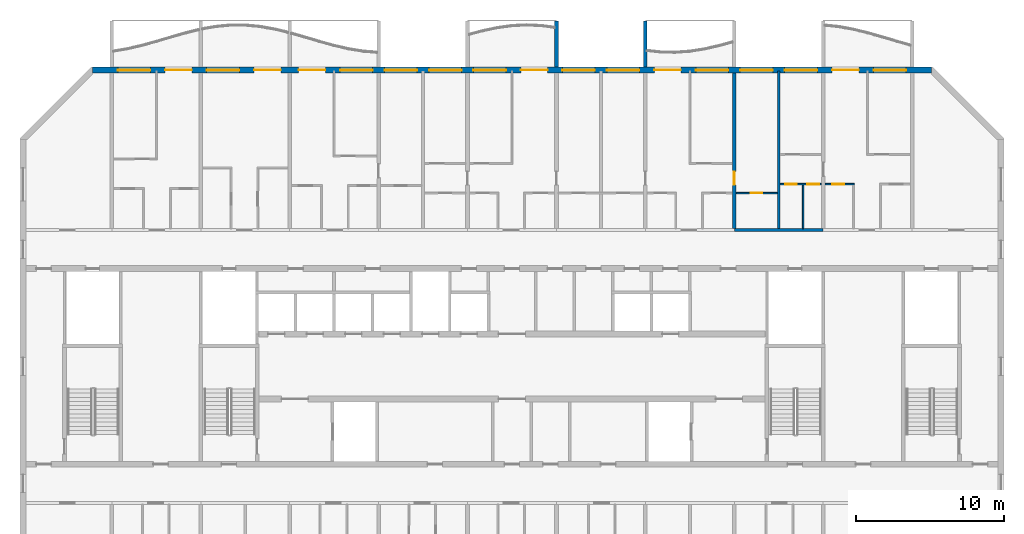
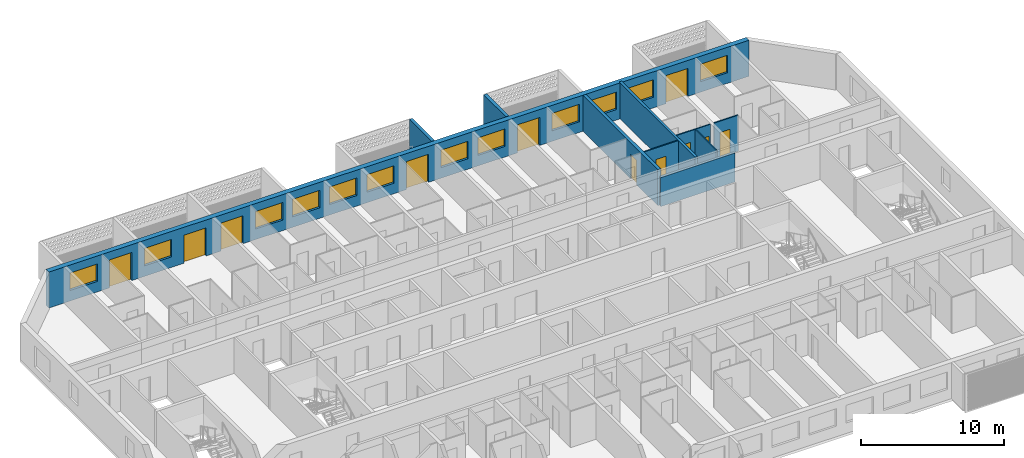
# One storey, part 10 of 27: 12 windows, 11 doors, 10 walls, 23 openings.
"""IFC4 building model written with IfcOpenShell, lengths in metres."""

from ifc_helpers import new_model, si_unit, direction, frame, frame_2d, origin, place, context, subcontext, project, spatial, polyline, rectangle, outline, extrude, source, transform, mapped, material, layer, layer_set, type_object, element, fill, save


model = new_model("IFC4")

# Units and contexts
model_context = context("Model", 3, precision=1e-05, world=origin(), true_north=direction((0.0, 1.0)))
body_context = subcontext(model_context, "Body", "Model", "MODEL_VIEW")
ifc_project = project(units=[si_unit("LENGTHUNIT", "METRE"), si_unit("AREAUNIT", "SQUARE_METRE"), si_unit("VOLUMEUNIT", "CUBIC_METRE"), si_unit("PLANEANGLEUNIT", "RADIAN"), si_unit("MASSUNIT", "GRAM", prefix="KILO")], contexts=[model_context])

# Site, building, storey
site_placement = place(None, origin())
site = spatial("IfcSite", under=ifc_project, at=site_placement, CompositionType="ELEMENT")
building_placement = place(site_placement, origin())
building = spatial("IfcBuilding", under=site, at=building_placement, Name="Poui Terraces", CompositionType="ELEMENT")
storey_placement = place(building_placement, frame((0.0, 0.0, 201.60009765625)))
storey = spatial("IfcBuildingStorey", under=building, at=storey_placement, Name="L56", CompositionType="ELEMENT", Elevation=201.60009765625)

# Wall
ifc_material_1 = material(Name="Concrete 50 MPa", Category="concrete")
ifc_layer_1 = layer(ifc_material_1, 0.199951171875)
ifc_layer_set_1 = layer_set([ifc_layer_1], Name="Concrete 50 MPa")
wall_type_1 = type_object("IfcWallType", Name="CORRIDOR WALL 200 50MPa", PredefinedType="SHEAR", material=ifc_layer_set_1)
wall_1_placement = place(storey_placement, frame((66.0, 30.39990234375, 0.0), z_axis=(0.0, 0.0, 1.0), x_axis=(1.0, 0.0, 0.0)))
element("IfcWall", 1, at=wall_1_placement, inside=storey, type_object=wall_type_1, Name="CORRIDOR WALL LINE E BAY 9", PredefinedType="SHEAR", context=body_context, shape_type="SweptSolid", body=[
    extrude(rectangle(XDim=6.0, YDim=0.199951171875, at=frame_2d((3.0, 0.0))), origin(), (0.0, 0.0, 1.0), 2.47998046875),
])

# Wall, opening, door
ifc_layer_2 = layer(ifc_material_1, 0.25)
ifc_layer_set_2 = layer_set([ifc_layer_2], Name="Concrete 50 MPa")
wall_type_2 = type_object("IfcWallType", Name="CROSS WALL 250 50MPa", PredefinedType="SHEAR", material=ifc_layer_set_2)
wall_2_placement = place(storey_placement, frame((66.0, 30.5, 0.0), z_axis=(0.0, 0.0, 1.0), x_axis=(0.0, 1.0, 0.0)))
wall_2 = element("IfcWall", 2, at=wall_2_placement, inside=storey, type_object=wall_type_2, Name="CROSS WALL LINE 12 NORTH", PredefinedType="SHEAR", context=body_context, shape_type="SweptSolid", body=[
    extrude(rectangle(XDim=10.5, YDim=0.25, at=frame_2d((5.25, 0.0))), origin(), (0.0, 0.0, 1.0), 3.079833984375),
])
opening_1_placement = place(wall_2_placement, frame((2.949951171875, 0.0, 0.0)))
opening_1 = element("IfcOpeningElement", 3, at=opening_1_placement, cuts=wall_2, Name="Opening D90", PredefinedType="OPENING", context=body_context, shape_type="SweptSolid", body=[
    extrude(rectangle(XDim=0.89990234375, YDim=2.10009765625, at=frame_2d((0.449951171875, 1.050048828125))), frame((0.0, 0.135009765625, 0.0), z_axis=(0.0, -1.0, 0.0), x_axis=(1.0, 0.0, 0.0)), (0.0, 0.0, 1.0), 0.27001953125),
])
ifc_material_2 = material(Name="Solid core timber door", Category="wood")
door_type_1 = type_object("IfcDoorType", Name="INTERNAL DOOR 900 X 2100", OperationType="NOTDEFINED", PredefinedType="DOOR", material=ifc_material_2)
door_1_placement = place(opening_1_placement, frame((0.89990234375, 0.0, 0.0), z_axis=(0.0, 0.0, 1.0), x_axis=(-1.0, 0.0, 0.0)))
door_1 = element("IfcDoor", 4, at=door_1_placement, inside=storey, type_object=door_type_1, Name="INTERNAL DOOR 056", OperationType="SINGLE_SWING_RIGHT", OverallHeight=2.10009765625, OverallWidth=0.89990234375, PredefinedType="DOOR", context=body_context, shape_type="SweptSolid", body=[
    extrude(rectangle(XDim=0.89990234375, YDim=2.10009765625, at=frame_2d((0.449951171875, 1.050048828125))), frame((0.0, 0.02490234375, 0.0), z_axis=(0.0, -1.0, 0.0), x_axis=(1.0, 0.0, 0.0)), (0.0, 0.0, 1.0), 0.050048828125),
])
fill(opening_1, door_1)

# Wall, openings, doors, windows
ifc_material_3 = material(Name="Precast concrete 40 MPa", Category="concrete")
ifc_layer_3 = layer(ifc_material_3, 0.39990234375)
ifc_layer_set_3 = layer_set([ifc_layer_3], Name="Precast concrete 40 MPa")
wall_type_3 = type_object("IfcWallType", Name="EXTERNAL WALL 400", PredefinedType="STANDARD", material=ifc_layer_set_3)
wall_3_placement = place(storey_placement, frame((79.317138671875, 41.199951171875, 0.0), z_axis=(0.0, 0.0, 1.0), x_axis=(-1.0, 0.0, 0.0)))
wall_3 = element("IfcWall", 5, at=wall_3_placement, inside=storey, type_object=wall_type_3, Name="EXTERNAL WALL N", PredefinedType="STANDARD", context=body_context, shape_type="SweptSolid", body=[
    extrude(rectangle(XDim=56.63427734375, YDim=0.39990234375, at=frame_2d((28.317138671875, 0.0))), origin(), (0.0, 0.0, 1.0), 3.079833984375),
])
opening_2_placement = place(wall_3_placement, frame((52.71728515625, 0.0, 0.89990234375)))
opening_2 = element("IfcOpeningElement", 6, at=opening_2_placement, cuts=wall_3, Name="Opening W1", PredefinedType="OPENING", context=body_context, shape_type="SweptSolid", body=[
    extrude(rectangle(XDim=2.199951171875, YDim=1.5, at=frame_2d((1.10009765625, 0.75))), frame((0.0, 0.2099609375, 0.0), z_axis=(0.0, -1.0, 0.0), x_axis=(1.0, 0.0, 0.0)), (0.0, 0.0, 1.0), 0.419921875),
])
opening_3_placement = place(wall_3_placement, frame((49.917236328125, 0.0, 0.0)))
opening_3 = element("IfcOpeningElement", 7, at=opening_3_placement, cuts=wall_3, Name="Opening BD1", PredefinedType="OPENING", context=body_context, shape_type="SweptSolid", body=[
    extrude(rectangle(XDim=1.800048828125, YDim=2.39990234375, at=frame_2d((0.89990234375, 1.199951171875))), frame((0.0, 0.2099609375, 0.0), z_axis=(0.0, -1.0, 0.0), x_axis=(1.0, 0.0, 0.0)), (0.0, 0.0, 1.0), 0.419921875),
])
opening_4_placement = place(wall_3_placement, frame((46.71728515625, 0.0, 0.89990234375)))
opening_4 = element("IfcOpeningElement", 8, at=opening_4_placement, cuts=wall_3, Name="Opening W1", PredefinedType="OPENING", context=body_context, shape_type="SweptSolid", body=[
    extrude(rectangle(XDim=2.199951171875, YDim=1.5, at=frame_2d((1.10009765625, 0.75))), frame((0.0, 0.2099609375, 0.0), z_axis=(0.0, -1.0, 0.0), x_axis=(1.0, 0.0, 0.0)), (0.0, 0.0, 1.0), 0.419921875),
])
opening_5_placement = place(wall_3_placement, frame((43.917236328125, 0.0, 0.0)))
opening_5 = element("IfcOpeningElement", 9, at=opening_5_placement, cuts=wall_3, Name="Opening BD1", PredefinedType="OPENING", context=body_context, shape_type="SweptSolid", body=[
    extrude(rectangle(XDim=1.800048828125, YDim=2.39990234375, at=frame_2d((0.89990234375, 1.199951171875))), frame((0.0, 0.2099609375, 0.0), z_axis=(0.0, -1.0, 0.0), x_axis=(1.0, 0.0, 0.0)), (0.0, 0.0, 1.0), 0.419921875),
])
opening_6_placement = place(wall_3_placement, frame((40.917236328125, 0.0, 0.0)))
opening_6 = element("IfcOpeningElement", 10, at=opening_6_placement, cuts=wall_3, Name="Opening BD1", PredefinedType="OPENING", context=body_context, shape_type="SweptSolid", body=[
    extrude(rectangle(XDim=1.800048828125, YDim=2.39990234375, at=frame_2d((0.89990234375, 1.199951171875))), frame((0.0, 0.2099609375, 0.0), z_axis=(0.0, -1.0, 0.0), x_axis=(1.0, 0.0, 0.0)), (0.0, 0.0, 1.0), 0.419921875),
])
opening_7_placement = place(wall_3_placement, frame((37.71728515625, 0.0, 0.89990234375)))
opening_7 = element("IfcOpeningElement", 11, at=opening_7_placement, cuts=wall_3, Name="Opening W1", PredefinedType="OPENING", context=body_context, shape_type="SweptSolid", body=[
    extrude(rectangle(XDim=2.199951171875, YDim=1.5, at=frame_2d((1.10009765625, 0.75))), frame((0.0, 0.2099609375, 0.0), z_axis=(0.0, -1.0, 0.0), x_axis=(1.0, 0.0, 0.0)), (0.0, 0.0, 1.0), 0.419921875),
])
opening_8_placement = place(wall_3_placement, frame((34.71728515625, 0.0, 0.89990234375)))
opening_8 = element("IfcOpeningElement", 12, at=opening_8_placement, cuts=wall_3, Name="Opening W1", PredefinedType="OPENING", context=body_context, shape_type="SweptSolid", body=[
    extrude(rectangle(XDim=2.199951171875, YDim=1.5, at=frame_2d((1.10009765625, 0.75))), frame((0.0, 0.2099609375, 0.0), z_axis=(0.0, -1.0, 0.0), x_axis=(1.0, 0.0, 0.0)), (0.0, 0.0, 1.0), 0.419921875),
])
opening_9_placement = place(wall_3_placement, frame((31.71728515625, 0.0, 0.89990234375)))
opening_9 = element("IfcOpeningElement", 13, at=opening_9_placement, cuts=wall_3, Name="Opening W1", PredefinedType="OPENING", context=body_context, shape_type="SweptSolid", body=[
    extrude(rectangle(XDim=2.199951171875, YDim=1.5, at=frame_2d((1.10009765625, 0.75))), frame((0.0, 0.2099609375, 0.0), z_axis=(0.0, -1.0, 0.0), x_axis=(1.0, 0.0, 0.0)), (0.0, 0.0, 1.0), 0.419921875),
])
opening_10_placement = place(wall_3_placement, frame((28.71728515625, 0.0, 0.89990234375)))
opening_10 = element("IfcOpeningElement", 14, at=opening_10_placement, cuts=wall_3, Name="Opening W1", PredefinedType="OPENING", context=body_context, shape_type="SweptSolid", body=[
    extrude(rectangle(XDim=2.199951171875, YDim=1.5, at=frame_2d((1.10009765625, 0.75))), frame((0.0, 0.2099609375, 0.0), z_axis=(0.0, -1.0, 0.0), x_axis=(1.0, 0.0, 0.0)), (0.0, 0.0, 1.0), 0.419921875),
])
opening_11_placement = place(wall_3_placement, frame((25.917236328125, 0.0, 0.0)))
opening_11 = element("IfcOpeningElement", 15, at=opening_11_placement, cuts=wall_3, Name="Opening BD1", PredefinedType="OPENING", context=body_context, shape_type="SweptSolid", body=[
    extrude(rectangle(XDim=1.800048828125, YDim=2.39990234375, at=frame_2d((0.89990234375, 1.199951171875))), frame((0.0, 0.2099609375, 0.0), z_axis=(0.0, -1.0, 0.0), x_axis=(1.0, 0.0, 0.0)), (0.0, 0.0, 1.0), 0.419921875),
])
opening_12_placement = place(wall_3_placement, frame((22.71728515625, 0.0, 0.89990234375)))
opening_12 = element("IfcOpeningElement", 16, at=opening_12_placement, cuts=wall_3, Name="Opening W1", PredefinedType="OPENING", context=body_context, shape_type="SweptSolid", body=[
    extrude(rectangle(XDim=2.199951171875, YDim=1.5, at=frame_2d((1.10009765625, 0.75))), frame((0.0, 0.2099609375, 0.0), z_axis=(0.0, -1.0, 0.0), x_axis=(1.0, 0.0, 0.0)), (0.0, 0.0, 1.0), 0.419921875),
])
opening_13_placement = place(wall_3_placement, frame((19.71728515625, 0.0, 0.89990234375)))
opening_13 = element("IfcOpeningElement", 17, at=opening_13_placement, cuts=wall_3, Name="Opening W1", PredefinedType="OPENING", context=body_context, shape_type="SweptSolid", body=[
    extrude(rectangle(XDim=2.199951171875, YDim=1.5, at=frame_2d((1.10009765625, 0.75))), frame((0.0, 0.2099609375, 0.0), z_axis=(0.0, -1.0, 0.0), x_axis=(1.0, 0.0, 0.0)), (0.0, 0.0, 1.0), 0.419921875),
])
opening_14_placement = place(wall_3_placement, frame((16.917236328125, 0.0, 0.0)))
opening_14 = element("IfcOpeningElement", 18, at=opening_14_placement, cuts=wall_3, Name="Opening BD1", PredefinedType="OPENING", context=body_context, shape_type="SweptSolid", body=[
    extrude(rectangle(XDim=1.800048828125, YDim=2.39990234375, at=frame_2d((0.89990234375, 1.199951171875))), frame((0.0, 0.2099609375, 0.0), z_axis=(0.0, -1.0, 0.0), x_axis=(1.0, 0.0, 0.0)), (0.0, 0.0, 1.0), 0.419921875),
])
opening_15_placement = place(wall_3_placement, frame((13.71728515625, 0.0, 0.89990234375)))
opening_15 = element("IfcOpeningElement", 19, at=opening_15_placement, cuts=wall_3, Name="Opening W1", PredefinedType="OPENING", context=body_context, shape_type="SweptSolid", body=[
    extrude(rectangle(XDim=2.199951171875, YDim=1.5, at=frame_2d((1.10009765625, 0.75))), frame((0.0, 0.2099609375, 0.0), z_axis=(0.0, -1.0, 0.0), x_axis=(1.0, 0.0, 0.0)), (0.0, 0.0, 1.0), 0.419921875),
])
opening_16_placement = place(wall_3_placement, frame((10.71728515625, 0.0, 0.89990234375)))
opening_16 = element("IfcOpeningElement", 20, at=opening_16_placement, cuts=wall_3, Name="Opening W1", PredefinedType="OPENING", context=body_context, shape_type="SweptSolid", body=[
    extrude(rectangle(XDim=2.199951171875, YDim=1.5, at=frame_2d((1.10009765625, 0.75))), frame((0.0, 0.2099609375, 0.0), z_axis=(0.0, -1.0, 0.0), x_axis=(1.0, 0.0, 0.0)), (0.0, 0.0, 1.0), 0.419921875),
])
opening_17_placement = place(wall_3_placement, frame((7.71728515625, 0.0, 0.89990234375)))
opening_17 = element("IfcOpeningElement", 21, at=opening_17_placement, cuts=wall_3, Name="Opening W1", PredefinedType="OPENING", context=body_context, shape_type="SweptSolid", body=[
    extrude(rectangle(XDim=2.199951171875, YDim=1.5, at=frame_2d((1.10009765625, 0.75))), frame((0.0, 0.2099609375, 0.0), z_axis=(0.0, -1.0, 0.0), x_axis=(1.0, 0.0, 0.0)), (0.0, 0.0, 1.0), 0.419921875),
])
opening_18_placement = place(wall_3_placement, frame((4.917236328125, 0.0, 0.0)))
opening_18 = element("IfcOpeningElement", 22, at=opening_18_placement, cuts=wall_3, Name="Opening BD1", PredefinedType="OPENING", context=body_context, shape_type="SweptSolid", body=[
    extrude(rectangle(XDim=1.800048828125, YDim=2.39990234375, at=frame_2d((0.89990234375, 1.199951171875))), frame((0.0, 0.2099609375, 0.0), z_axis=(0.0, -1.0, 0.0), x_axis=(1.0, 0.0, 0.0)), (0.0, 0.0, 1.0), 0.419921875),
])
opening_19_placement = place(wall_3_placement, frame((1.71728515625, 0.0, 0.89990234375)))
opening_19 = element("IfcOpeningElement", 23, at=opening_19_placement, cuts=wall_3, Name="Opening W1", PredefinedType="OPENING", context=body_context, shape_type="SweptSolid", body=[
    extrude(rectangle(XDim=2.199951171875, YDim=1.5, at=frame_2d((1.10009765625, 0.75))), frame((0.0, 0.2099609375, 0.0), z_axis=(0.0, -1.0, 0.0), x_axis=(1.0, 0.0, 0.0)), (0.0, 0.0, 1.0), 0.419921875),
])
ifc_material_4 = material(Name="Clear glass in aluminium frame", Category="aluminium")
door_type_2 = type_object("IfcDoorType", Name="BALCONY DOOR 1800X2400", OperationType="DOUBLE_DOOR_SLIDING", PredefinedType="DOOR", material=ifc_material_4)
door_2_placement = place(opening_3_placement, origin())
door_2 = element("IfcDoor", 24, at=door_2_placement, inside=storey, type_object=door_type_2, Name="BD1 BALCONY DOOR", OperationType="DOUBLE_DOOR_SLIDING", OverallHeight=2.39990234375, OverallWidth=1.800048828125, PredefinedType="DOOR", context=body_context, shape_type="SweptSolid", body=[
    extrude(rectangle(XDim=1.800048828125, YDim=2.39990234375, at=frame_2d((0.89990234375, 1.199951171875))), frame((0.0, 0.02490234375, 0.0), z_axis=(0.0, -1.0, 0.0), x_axis=(1.0, 0.0, 0.0)), (0.0, 0.0, 1.0), 0.050048828125),
])
fill(opening_3, door_2)
door_3_placement = place(opening_5_placement, origin())
door_3 = element("IfcDoor", 25, at=door_3_placement, inside=storey, type_object=door_type_2, Name="BD1 BALCONY DOOR", OperationType="DOUBLE_DOOR_SLIDING", OverallHeight=2.39990234375, OverallWidth=1.800048828125, PredefinedType="DOOR", context=body_context, shape_type="SweptSolid", body=[
    extrude(rectangle(XDim=1.800048828125, YDim=2.39990234375, at=frame_2d((0.89990234375, 1.199951171875))), frame((0.0, 0.02490234375, 0.0), z_axis=(0.0, -1.0, 0.0), x_axis=(1.0, 0.0, 0.0)), (0.0, 0.0, 1.0), 0.050048828125),
])
fill(opening_5, door_3)
door_4_placement = place(opening_6_placement, origin())
door_4 = element("IfcDoor", 26, at=door_4_placement, inside=storey, type_object=door_type_2, Name="BD1 BALCONY DOOR", OperationType="DOUBLE_DOOR_SLIDING", OverallHeight=2.39990234375, OverallWidth=1.800048828125, PredefinedType="DOOR", context=body_context, shape_type="SweptSolid", body=[
    extrude(rectangle(XDim=1.800048828125, YDim=2.39990234375, at=frame_2d((0.89990234375, 1.199951171875))), frame((0.0, 0.02490234375, 0.0), z_axis=(0.0, -1.0, 0.0), x_axis=(1.0, 0.0, 0.0)), (0.0, 0.0, 1.0), 0.050048828125),
])
fill(opening_6, door_4)
door_5_placement = place(opening_11_placement, origin())
door_5 = element("IfcDoor", 27, at=door_5_placement, inside=storey, type_object=door_type_2, Name="BD1 BALCONY DOOR", OperationType="DOUBLE_DOOR_SLIDING", OverallHeight=2.39990234375, OverallWidth=1.800048828125, PredefinedType="DOOR", context=body_context, shape_type="SweptSolid", body=[
    extrude(rectangle(XDim=1.800048828125, YDim=2.39990234375, at=frame_2d((0.89990234375, 1.199951171875))), frame((0.0, 0.02490234375, 0.0), z_axis=(0.0, -1.0, 0.0), x_axis=(1.0, 0.0, 0.0)), (0.0, 0.0, 1.0), 0.050048828125),
])
fill(opening_11, door_5)
door_6_placement = place(opening_14_placement, origin())
door_6 = element("IfcDoor", 28, at=door_6_placement, inside=storey, type_object=door_type_2, Name="BD1 BALCONY DOOR", OperationType="DOUBLE_DOOR_SLIDING", OverallHeight=2.39990234375, OverallWidth=1.800048828125, PredefinedType="DOOR", context=body_context, shape_type="SweptSolid", body=[
    extrude(rectangle(XDim=1.800048828125, YDim=2.39990234375, at=frame_2d((0.89990234375, 1.199951171875))), frame((0.0, 0.02490234375, 0.0), z_axis=(0.0, -1.0, 0.0), x_axis=(1.0, 0.0, 0.0)), (0.0, 0.0, 1.0), 0.050048828125),
])
fill(opening_14, door_6)
door_7_placement = place(opening_18_placement, origin())
door_7 = element("IfcDoor", 29, at=door_7_placement, inside=storey, type_object=door_type_2, Name="BD1 BALCONY DOOR", OperationType="DOUBLE_DOOR_SLIDING", OverallHeight=2.39990234375, OverallWidth=1.800048828125, PredefinedType="DOOR", context=body_context, shape_type="SweptSolid", body=[
    extrude(rectangle(XDim=1.800048828125, YDim=2.39990234375, at=frame_2d((0.89990234375, 1.199951171875))), frame((0.0, 0.02490234375, 0.0), z_axis=(0.0, -1.0, 0.0), x_axis=(1.0, 0.0, 0.0)), (0.0, 0.0, 1.0), 0.050048828125),
])
fill(opening_18, door_7)
window_type = type_object("IfcWindowType", Name="WINDOW 2200X1500", PartitioningType="DOUBLE_PANEL_HORIZONTAL", PredefinedType="WINDOW", material=ifc_material_4)
window_1_placement = place(opening_2_placement, origin())
window_1 = element("IfcWindow", 30, at=window_1_placement, inside=storey, type_object=window_type, Name="W1 WINDOW", OverallHeight=1.5, OverallWidth=2.199951171875, PartitioningType="DOUBLE_PANEL_HORIZONTAL", PredefinedType="WINDOW", context=body_context, shape_type="SweptSolid", body=[
    extrude(rectangle(XDim=2.199951171875, YDim=1.5, at=frame_2d((1.10009765625, 0.75))), frame((0.0, 0.030029296875, 0.0), z_axis=(0.0, -1.0, 0.0), x_axis=(1.0, 0.0, 0.0)), (0.0, 0.0, 1.0), 0.06005859375),
])
fill(opening_2, window_1)
window_2_placement = place(opening_4_placement, origin())
window_2 = element("IfcWindow", 31, at=window_2_placement, inside=storey, type_object=window_type, Name="W1 WINDOW", OverallHeight=1.5, OverallWidth=2.199951171875, PartitioningType="DOUBLE_PANEL_HORIZONTAL", PredefinedType="WINDOW", context=body_context, shape_type="SweptSolid", body=[
    extrude(rectangle(XDim=2.199951171875, YDim=1.5, at=frame_2d((1.10009765625, 0.75))), frame((0.0, 0.030029296875, 0.0), z_axis=(0.0, -1.0, 0.0), x_axis=(1.0, 0.0, 0.0)), (0.0, 0.0, 1.0), 0.06005859375),
])
fill(opening_4, window_2)
window_3_placement = place(opening_7_placement, origin())
window_3 = element("IfcWindow", 32, at=window_3_placement, inside=storey, type_object=window_type, Name="W1 WINDOW", OverallHeight=1.5, OverallWidth=2.199951171875, PartitioningType="DOUBLE_PANEL_HORIZONTAL", PredefinedType="WINDOW", context=body_context, shape_type="SweptSolid", body=[
    extrude(rectangle(XDim=2.199951171875, YDim=1.5, at=frame_2d((1.10009765625, 0.75))), frame((0.0, 0.030029296875, 0.0), z_axis=(0.0, -1.0, 0.0), x_axis=(1.0, 0.0, 0.0)), (0.0, 0.0, 1.0), 0.06005859375),
])
fill(opening_7, window_3)
window_4_placement = place(opening_8_placement, origin())
window_4 = element("IfcWindow", 33, at=window_4_placement, inside=storey, type_object=window_type, Name="W1 WINDOW", OverallHeight=1.5, OverallWidth=2.199951171875, PartitioningType="DOUBLE_PANEL_HORIZONTAL", PredefinedType="WINDOW", context=body_context, shape_type="SweptSolid", body=[
    extrude(rectangle(XDim=2.199951171875, YDim=1.5, at=frame_2d((1.10009765625, 0.75))), frame((0.0, 0.030029296875, 0.0), z_axis=(0.0, -1.0, 0.0), x_axis=(1.0, 0.0, 0.0)), (0.0, 0.0, 1.0), 0.06005859375),
])
fill(opening_8, window_4)
window_5_placement = place(opening_9_placement, origin())
window_5 = element("IfcWindow", 34, at=window_5_placement, inside=storey, type_object=window_type, Name="W1 WINDOW", OverallHeight=1.5, OverallWidth=2.199951171875, PartitioningType="DOUBLE_PANEL_HORIZONTAL", PredefinedType="WINDOW", context=body_context, shape_type="SweptSolid", body=[
    extrude(rectangle(XDim=2.199951171875, YDim=1.5, at=frame_2d((1.10009765625, 0.75))), frame((0.0, 0.030029296875, 0.0), z_axis=(0.0, -1.0, 0.0), x_axis=(1.0, 0.0, 0.0)), (0.0, 0.0, 1.0), 0.06005859375),
])
fill(opening_9, window_5)
window_6_placement = place(opening_10_placement, origin())
window_6 = element("IfcWindow", 35, at=window_6_placement, inside=storey, type_object=window_type, Name="W1 WINDOW", OverallHeight=1.5, OverallWidth=2.199951171875, PartitioningType="DOUBLE_PANEL_HORIZONTAL", PredefinedType="WINDOW", context=body_context, shape_type="SweptSolid", body=[
    extrude(rectangle(XDim=2.199951171875, YDim=1.5, at=frame_2d((1.10009765625, 0.75))), frame((0.0, 0.030029296875, 0.0), z_axis=(0.0, -1.0, 0.0), x_axis=(1.0, 0.0, 0.0)), (0.0, 0.0, 1.0), 0.06005859375),
])
fill(opening_10, window_6)
window_7_placement = place(opening_12_placement, origin())
window_7 = element("IfcWindow", 36, at=window_7_placement, inside=storey, type_object=window_type, Name="W1 WINDOW", OverallHeight=1.5, OverallWidth=2.199951171875, PartitioningType="DOUBLE_PANEL_HORIZONTAL", PredefinedType="WINDOW", context=body_context, shape_type="SweptSolid", body=[
    extrude(rectangle(XDim=2.199951171875, YDim=1.5, at=frame_2d((1.10009765625, 0.75))), frame((0.0, 0.030029296875, 0.0), z_axis=(0.0, -1.0, 0.0), x_axis=(1.0, 0.0, 0.0)), (0.0, 0.0, 1.0), 0.06005859375),
])
fill(opening_12, window_7)
window_8_placement = place(opening_13_placement, origin())
window_8 = element("IfcWindow", 37, at=window_8_placement, inside=storey, type_object=window_type, Name="W1 WINDOW", OverallHeight=1.5, OverallWidth=2.199951171875, PartitioningType="DOUBLE_PANEL_HORIZONTAL", PredefinedType="WINDOW", context=body_context, shape_type="SweptSolid", body=[
    extrude(rectangle(XDim=2.199951171875, YDim=1.5, at=frame_2d((1.10009765625, 0.75))), frame((0.0, 0.030029296875, 0.0), z_axis=(0.0, -1.0, 0.0), x_axis=(1.0, 0.0, 0.0)), (0.0, 0.0, 1.0), 0.06005859375),
])
fill(opening_13, window_8)
window_9_placement = place(opening_15_placement, origin())
window_9 = element("IfcWindow", 38, at=window_9_placement, inside=storey, type_object=window_type, Name="W1 WINDOW", OverallHeight=1.5, OverallWidth=2.199951171875, PartitioningType="DOUBLE_PANEL_HORIZONTAL", PredefinedType="WINDOW", context=body_context, shape_type="SweptSolid", body=[
    extrude(rectangle(XDim=2.199951171875, YDim=1.5, at=frame_2d((1.10009765625, 0.75))), frame((0.0, 0.030029296875, 0.0), z_axis=(0.0, -1.0, 0.0), x_axis=(1.0, 0.0, 0.0)), (0.0, 0.0, 1.0), 0.06005859375),
])
fill(opening_15, window_9)
window_10_placement = place(opening_16_placement, origin())
window_10 = element("IfcWindow", 39, at=window_10_placement, inside=storey, type_object=window_type, Name="W1 WINDOW", OverallHeight=1.5, OverallWidth=2.199951171875, PartitioningType="DOUBLE_PANEL_HORIZONTAL", PredefinedType="WINDOW", context=body_context, shape_type="SweptSolid", body=[
    extrude(rectangle(XDim=2.199951171875, YDim=1.5, at=frame_2d((1.10009765625, 0.75))), frame((0.0, 0.030029296875, 0.0), z_axis=(0.0, -1.0, 0.0), x_axis=(1.0, 0.0, 0.0)), (0.0, 0.0, 1.0), 0.06005859375),
])
fill(opening_16, window_10)
window_11_placement = place(opening_17_placement, origin())
window_11 = element("IfcWindow", 40, at=window_11_placement, inside=storey, type_object=window_type, Name="W1 WINDOW", OverallHeight=1.5, OverallWidth=2.199951171875, PartitioningType="DOUBLE_PANEL_HORIZONTAL", PredefinedType="WINDOW", context=body_context, shape_type="SweptSolid", body=[
    extrude(rectangle(XDim=2.199951171875, YDim=1.5, at=frame_2d((1.10009765625, 0.75))), frame((0.0, 0.030029296875, 0.0), z_axis=(0.0, -1.0, 0.0), x_axis=(1.0, 0.0, 0.0)), (0.0, 0.0, 1.0), 0.06005859375),
])
fill(opening_17, window_11)
window_12_placement = place(opening_19_placement, origin())
window_12 = element("IfcWindow", 41, at=window_12_placement, inside=storey, type_object=window_type, Name="W1 WINDOW", OverallHeight=1.5, OverallWidth=2.199951171875, PartitioningType="DOUBLE_PANEL_HORIZONTAL", PredefinedType="WINDOW", context=body_context, shape_type="SweptSolid", body=[
    extrude(rectangle(XDim=2.199951171875, YDim=1.5, at=frame_2d((1.10009765625, 0.75))), frame((0.0, 0.030029296875, 0.0), z_axis=(0.0, -1.0, 0.0), x_axis=(1.0, 0.0, 0.0)), (0.0, 0.0, 1.0), 0.06005859375),
])
fill(opening_19, window_12)

# Wall, opening, door
ifc_material_5 = material(Name="Plasterboard partition")
ifc_layer_4 = layer(ifc_material_5, 0.10009765625)
ifc_layer_set_4 = layer_set([ifc_layer_4], Name="Plasterboard partition")
wall_type_4 = type_object("IfcWallType", Name="FLAT PARTITION 100", PredefinedType="PARTITIONING", material=ifc_layer_set_4)
wall_4_placement = place(storey_placement, frame((66.135009765625, 32.89990234375, 0.0), z_axis=(0.0, 0.0, 1.0), x_axis=(1.0, 0.0, 0.0)))
wall_4 = element("IfcWall", 42, at=wall_4_placement, inside=storey, type_object=wall_type_4, Name="FLAT PARTITION 100", PredefinedType="PARTITIONING", context=body_context, shape_type="SweptSolid", body=[
    extrude(rectangle(XDim=2.764892578125, YDim=0.10009765625, at=frame_2d((1.38232421875, 0.0))), origin(), (0.0, 0.0, 1.0), 3.079833984375),
])
opening_20_placement = place(wall_4_placement, frame((0.965087890625, 0.0, 0.0)))
opening_20 = element("IfcOpeningElement", 43, at=opening_20_placement, cuts=wall_4, Name="Opening D80", PredefinedType="OPENING", context=body_context, shape_type="SweptSolid", body=[
    extrude(rectangle(XDim=0.800048828125, YDim=2.10009765625, at=frame_2d((0.39990234375, 1.050048828125))), frame((0.0, 0.06005859375, 0.0), z_axis=(0.0, -1.0, 0.0), x_axis=(1.0, 0.0, 0.0)), (0.0, 0.0, 1.0), 0.1201171875),
])
door_type_3 = type_object("IfcDoorType", Name="BATHROOM, LAUNDRY AND STORE DOOR 800 X 2100", OperationType="NOTDEFINED", PredefinedType="DOOR", material=ifc_material_2)
door_8_placement = place(opening_20_placement, frame((0.800048828125, 0.0, 0.0), z_axis=(0.0, 0.0, 1.0), x_axis=(-1.0, 0.0, 0.0)))
door_8 = element("IfcDoor", 44, at=door_8_placement, inside=storey, type_object=door_type_3, Name="BATHROOM, LAUNDRY AND STORE DOOR 050", OperationType="SINGLE_SWING_LEFT", OverallHeight=2.10009765625, OverallWidth=0.800048828125, PredefinedType="DOOR", context=body_context, shape_type="SweptSolid", body=[
    extrude(rectangle(XDim=0.800048828125, YDim=2.10009765625, at=frame_2d((0.39990234375, 1.050048828125))), frame((0.0, 0.02490234375, 0.0), z_axis=(0.0, -1.0, 0.0), x_axis=(1.0, 0.0, 0.0)), (0.0, 0.0, 1.0), 0.050048828125),
])
fill(opening_20, door_8)

# Wall, openings, doors
wall_5_placement = place(storey_placement, frame((69.10009765625, 33.5, 0.0), z_axis=(0.0, 0.0, 1.0), x_axis=(1.0, 0.0, 0.0)))
wall_5 = element("IfcWall", 45, at=wall_5_placement, inside=storey, type_object=wall_type_4, Name="FLAT PARTITION 100", PredefinedType="PARTITIONING", context=body_context, shape_type="SweptSolid", body=[
    extrude(rectangle(XDim=2.764892578125, YDim=0.10009765625, at=frame_2d((1.38232421875, 0.0))), origin(), (0.0, 0.0, 1.0), 3.079833984375),
])
opening_21_placement = place(wall_5_placement, frame((0.324951171875, 0.0, 0.0)))
opening_21 = element("IfcOpeningElement", 46, at=opening_21_placement, cuts=wall_5, Name="Opening D80", PredefinedType="OPENING", context=body_context, shape_type="SweptSolid", body=[
    extrude(rectangle(XDim=0.800048828125, YDim=2.10009765625, at=frame_2d((0.39990234375, 1.050048828125))), frame((0.0, 0.06005859375, 0.0), z_axis=(0.0, -1.0, 0.0), x_axis=(1.0, 0.0, 0.0)), (0.0, 0.0, 1.0), 0.1201171875),
])
opening_22_placement = place(wall_5_placement, frame((1.824951171875, 0.0, 0.0)))
opening_22 = element("IfcOpeningElement", 47, at=opening_22_placement, cuts=wall_5, Name="Opening D80", PredefinedType="OPENING", context=body_context, shape_type="SweptSolid", body=[
    extrude(rectangle(XDim=0.800048828125, YDim=2.10009765625, at=frame_2d((0.39990234375, 1.050048828125))), frame((0.0, 0.06005859375, 0.0), z_axis=(0.0, -1.0, 0.0), x_axis=(1.0, 0.0, 0.0)), (0.0, 0.0, 1.0), 0.1201171875),
])
door_9_placement = place(opening_21_placement, frame((0.800048828125, 0.0, 0.0), z_axis=(0.0, 0.0, 1.0), x_axis=(-1.0, 0.0, 0.0)))
door_9 = element("IfcDoor", 48, at=door_9_placement, inside=storey, type_object=door_type_3, Name="BATHROOM, LAUNDRY AND STORE DOOR 057", OperationType="SINGLE_SWING_LEFT", OverallHeight=2.10009765625, OverallWidth=0.800048828125, PredefinedType="DOOR", context=body_context, shape_type="SweptSolid", body=[
    extrude(rectangle(XDim=0.800048828125, YDim=2.10009765625, at=frame_2d((0.39990234375, 1.050048828125))), frame((0.0, 0.02490234375, 0.0), z_axis=(0.0, -1.0, 0.0), x_axis=(1.0, 0.0, 0.0)), (0.0, 0.0, 1.0), 0.050048828125),
])
fill(opening_21, door_9)
door_10_placement = place(opening_22_placement, frame((0.800048828125, 0.0, 0.0), z_axis=(0.0, 0.0, 1.0), x_axis=(-1.0, 0.0, 0.0)))
door_10 = element("IfcDoor", 49, at=door_10_placement, inside=storey, type_object=door_type_3, Name="BATHROOM, LAUNDRY AND STORE DOOR 059", OperationType="SINGLE_SWING_RIGHT", OverallHeight=2.10009765625, OverallWidth=0.800048828125, PredefinedType="DOOR", context=body_context, shape_type="SweptSolid", body=[
    extrude(rectangle(XDim=0.800048828125, YDim=2.10009765625, at=frame_2d((0.39990234375, 1.050048828125))), frame((0.0, 0.02490234375, 0.0), z_axis=(0.0, -1.0, 0.0), x_axis=(1.0, 0.0, 0.0)), (0.0, 0.0, 1.0), 0.050048828125),
])
fill(opening_22, door_10)

# Wall, opening, door
wall_6_placement = place(storey_placement, frame((72.135009765625, 33.5, 0.0), z_axis=(0.0, 0.0, 1.0), x_axis=(1.0, 0.0, 0.0)))
wall_6 = element("IfcWall", 50, at=wall_6_placement, inside=storey, type_object=wall_type_4, Name="FLAT PARTITION 100", PredefinedType="PARTITIONING", context=body_context, shape_type="SweptSolid", body=[
    extrude(rectangle(XDim=1.965087890625, YDim=0.10009765625, at=frame_2d((0.982421875, 0.0))), origin(), (0.0, 0.0, 1.0), 3.079833984375),
])
opening_23_placement = place(wall_6_placement, frame((0.489990234375, 0.0, 0.0)))
opening_23 = element("IfcOpeningElement", 51, at=opening_23_placement, cuts=wall_6, Name="Opening D80", PredefinedType="OPENING", context=body_context, shape_type="SweptSolid", body=[
    extrude(rectangle(XDim=0.800048828125, YDim=2.10009765625, at=frame_2d((0.39990234375, 1.050048828125))), frame((0.0, 0.06005859375, 0.0), z_axis=(0.0, -1.0, 0.0), x_axis=(1.0, 0.0, 0.0)), (0.0, 0.0, 1.0), 0.1201171875),
])
door_11_placement = place(opening_23_placement, frame((0.800048828125, 0.0, 0.0), z_axis=(0.0, 0.0, 1.0), x_axis=(-1.0, 0.0, 0.0)))
door_11 = element("IfcDoor", 52, at=door_11_placement, inside=storey, type_object=door_type_3, Name="BATHROOM, LAUNDRY AND STORE DOOR 061", OperationType="SINGLE_SWING_LEFT", OverallHeight=2.10009765625, OverallWidth=0.800048828125, PredefinedType="DOOR", context=body_context, shape_type="SweptSolid", body=[
    extrude(rectangle(XDim=0.800048828125, YDim=2.10009765625, at=frame_2d((0.39990234375, 1.050048828125))), frame((0.0, 0.02490234375, 0.0), z_axis=(0.0, -1.0, 0.0), x_axis=(1.0, 0.0, 0.0)), (0.0, 0.0, 1.0), 0.050048828125),
])
fill(opening_23, door_11)

# Walls
wall_7_placement = place(storey_placement, frame((70.64990234375, 30.510009765625, 0.0), z_axis=(0.0, 0.0, 1.0), x_axis=(0.0, 1.0, 0.0)))
element("IfcWall", 53, at=wall_7_placement, inside=storey, type_object=wall_type_4, Name="FLAT PARTITION 100", PredefinedType="PARTITIONING", context=body_context, shape_type="SweptSolid", body=[
    extrude(rectangle(XDim=2.93994140625, YDim=0.10009765625, at=frame_2d((1.469970703125, 0.0))), origin(), (0.0, 0.0, 1.0), 3.079833984375),
])
ifc_material_6 = material(Name="Fire-rated masonry wall", Category="masonry")
ifc_layer_5 = layer(ifc_material_6, 0.199951171875)
ifc_layer_set_5 = layer_set([ifc_layer_5], Name="Fire-rated masonry wall")
wall_type_5 = type_object("IfcWallType", Name="FLAT PARTY WALL 200", PredefinedType="PARTITIONING", material=ifc_layer_set_5)
wall_8_placement = place(storey_placement, frame((69.0, 30.510009765625, 0.0), z_axis=(0.0, 0.0, 1.0), x_axis=(0.0, 1.0, 0.0)))
element("IfcWall", 54, at=wall_8_placement, inside=storey, type_object=wall_type_5, Name="FLAT PARTY WALL 200", PredefinedType="PARTITIONING", context=body_context, shape_type="SweptSolid", body=[
    extrude(rectangle(XDim=10.6298828125, YDim=0.199951171875, at=frame_2d((5.31494140625, 0.0))), origin(), (0.0, 0.0, 1.0), 3.079833984375),
])
ifc_layer_6 = layer(ifc_material_3, 0.25)
ifc_layer_set_6 = layer_set([ifc_layer_6], Name="Precast concrete 40 MPa")
wall_type_6 = type_object("IfcWallType", Name="BALCONY FIN 250", PredefinedType="STANDARD", material=ifc_layer_set_6)
shared_shape = source(origin(), body_context, "Body", "SweptSolid", [
    extrude(outline(polyline([(0.0, 0.0), (0.25, 0.0), (0.25, 3.10009765625), (0.0, 3.10009765625), (0.0, 0.0)])), origin(), (0.0, 0.0, 1.0), 3.099853515625),
])
for number, where, name in (
    (55, (53.875, 41.39990234375, 0.0), "BALCONY FIN"),
    (56, (59.875, 41.39990234375, 0.0), "BALCONY FIN"),
):
    element("IfcWall", number, at=place(storey_placement, frame(where)), inside=storey, type_object=wall_type_6, Name=name, PredefinedType="STANDARD", context=body_context, shape_type="MappedRepresentation", body=[
        mapped(shared_shape, transform((0.0, 0.0, 0.0))),
    ])

save(model, "model.ifc")
